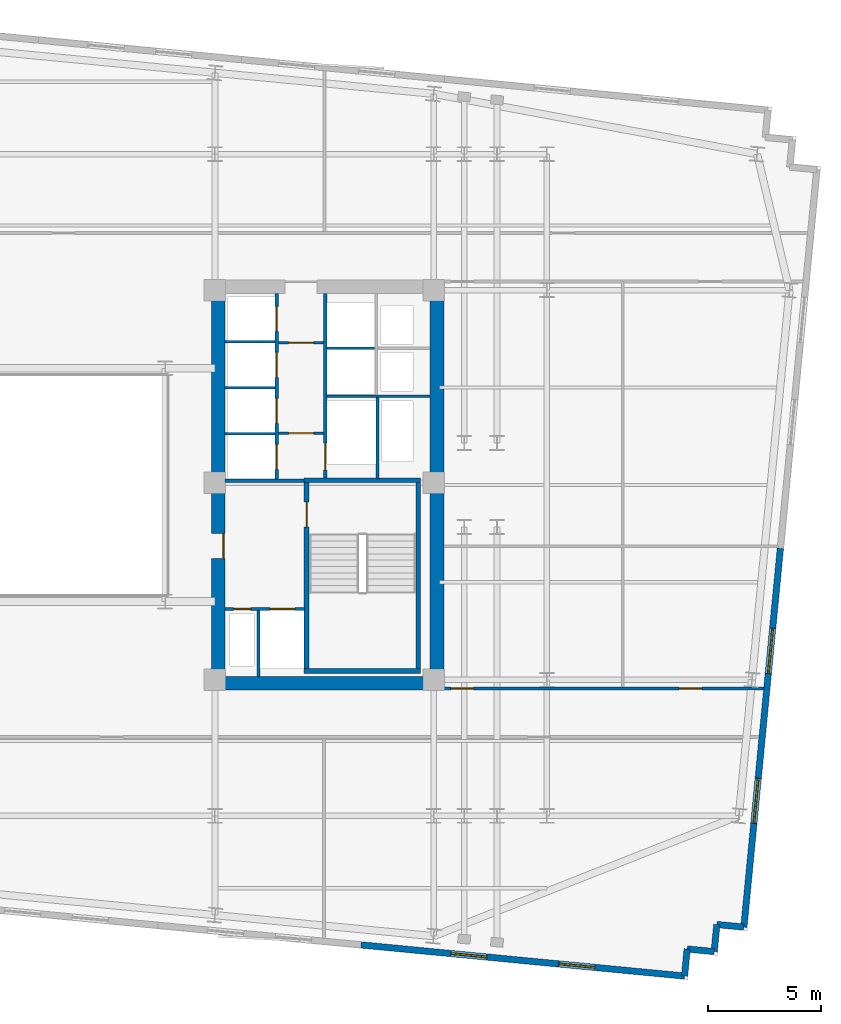
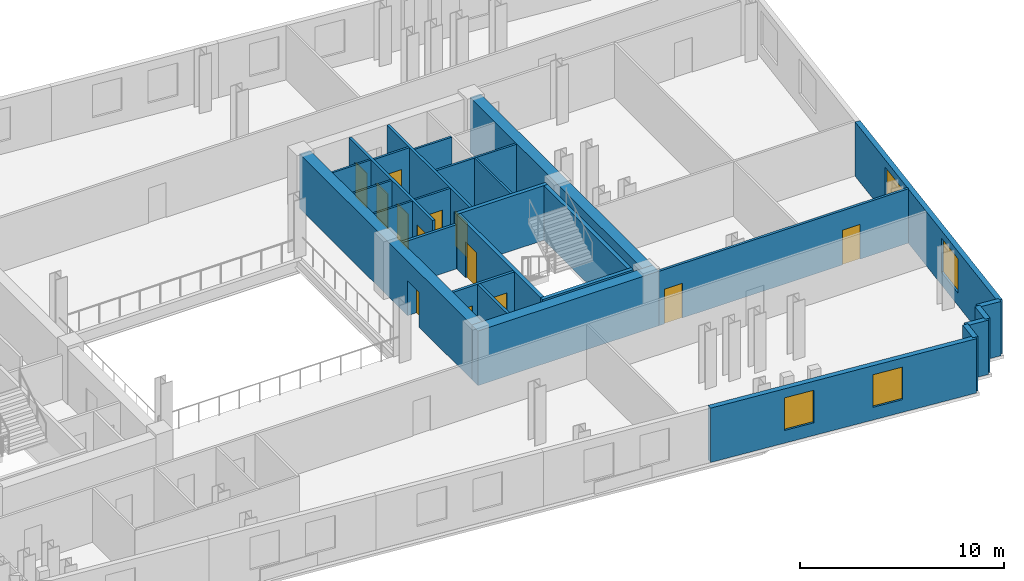
# One storey, part 5 of 9: 27 walls, 13 doors, 4 windows, 17 openings.
"""IFC4 building model written with IfcOpenShell, lengths in metres."""

from ifc_helpers import new_model, si_unit, direction, frame, frame_2d, origin, place, context, subcontext, project, spatial, rectangle, extrude, material, layer, layer_set, type_object, element, fill, save


model = new_model("IFC4")

# Units and contexts
model_context = context("Model", 3, precision=1e-05, world=origin(), true_north=direction((0.0, 1.0)))
body_context = subcontext(model_context, "Body", "Model", "MODEL_VIEW")
ifc_project = project(units=[si_unit("LENGTHUNIT", "METRE"), si_unit("AREAUNIT", "SQUARE_METRE"), si_unit("VOLUMEUNIT", "CUBIC_METRE"), si_unit("PLANEANGLEUNIT", "RADIAN"), si_unit("MASSUNIT", "GRAM", prefix="KILO")], contexts=[model_context])

# Site, building, storey
site_placement = place(None, origin())
site = spatial("IfcSite", under=ifc_project, at=site_placement, CompositionType="ELEMENT")
building_placement = place(site_placement, origin())
building = spatial("IfcBuilding", under=site, at=building_placement, Name="Velakula Bourse", CompositionType="ELEMENT")
storey_placement = place(building_placement, frame((0.0, 0.0, 163.85009765625)))
storey = spatial("IfcBuildingStorey", under=building, at=storey_placement, Name="L44", CompositionType="ELEMENT", Elevation=163.85009765625)

# Wall, opening, door
ifc_material_1 = material(Name="Concrete M50 (fck 50 MPa)", Category="concrete")
ifc_layer_1 = layer(ifc_material_1, 0.2099609375, Name="Concrete M50 (fck 50 MPa)", Category="concrete")
ifc_layer_set_1 = layer_set([ifc_layer_1], Name="Concrete M50 (fck 50 MPa)")
wall_type_1 = type_object("IfcWallType", Name="WL-CORE-210", PredefinedType="SHEAR", material=ifc_layer_set_1)
wall_1_placement = place(storey_placement, frame((12.9951171875, -8.10009765625, 0.0), z_axis=(0.0, 0.0, 1.0), x_axis=(0.0, 1.0, 0.0)))
wall_1 = element("IfcWall", 1, at=wall_1_placement, inside=storey, type_object=wall_type_1, Name="L44 Core E Stairwell Shear Wall IN", PredefinedType="SHEAR", context=body_context, shape_type="SweptSolid", body=[
    extrude(rectangle(XDim=8.2001953125, YDim=0.2099609375, at=frame_2d((4.10009765625, 0.0))), origin(), (0.0, 0.0, 1.0), 3.27001953125),
])
opening_1_placement = place(wall_1_placement, frame((6.25, 0.0, 0.0)))
opening_1 = element("IfcOpeningElement", 2, at=opening_1_placement, cuts=wall_1, Name="Opening D-STE1", PredefinedType="OPENING", context=body_context, shape_type="SweptSolid", body=[
    extrude(rectangle(XDim=1.10009765625, YDim=2.14990234375, at=frame_2d((0.550048828125, 1.074951171875))), frame((0.0, 0.114990234375, 0.0), z_axis=(0.0, -1.0, 0.0), x_axis=(1.0, 0.0, 0.0)), (0.0, 0.0, 1.0), 0.22998046875),
])
ifc_material_2 = material(Name="Galvanised painted hollow steel fire door", Category="steel")
door_type_1 = type_object("IfcDoorType", Name="DR-FD120-1100x2150", OperationType="NOTDEFINED", PredefinedType="DOOR", material=ifc_material_2)
door_1_placement = place(opening_1_placement, origin())
door_1 = element("IfcDoor", 3, at=door_1_placement, inside=storey, type_object=door_type_1, Name="L44 Stair ST-E1 Fire Door", OperationType="SINGLE_SWING_RIGHT", OverallHeight=2.14990234375, OverallWidth=1.10009765625, PredefinedType="DOOR", context=body_context, shape_type="SweptSolid", body=[
    extrude(rectangle(XDim=1.10009765625, YDim=2.14990234375, at=frame_2d((0.550048828125, 1.074951171875))), frame((0.0, 0.02490234375, 0.0), z_axis=(0.0, -1.0, 0.0), x_axis=(1.0, 0.0, 0.0)), (0.0, 0.0, 1.0), 0.050048828125),
])
fill(opening_1, door_1)

# Walls
wall_2_placement = place(storey_placement, frame((17.925048828125, -8.10009765625, 0.0), z_axis=(0.0, 0.0, 1.0), x_axis=(0.0, 1.0, 0.0)))
element("IfcWall", 4, at=wall_2_placement, inside=storey, type_object=wall_type_1, Name="L44 Core E Stairwell Shear Wall OUT", PredefinedType="SHEAR", context=body_context, shape_type="SweptSolid", body=[
    extrude(rectangle(XDim=8.2001953125, YDim=0.2099609375, at=frame_2d((4.10009765625, 0.0))), origin(), (0.0, 0.0, 1.0), 3.27001953125),
])
for number, where, z_axis, x_axis, name in (
    (5, (12.889892578125, -8.205078125, 0.0), (0.0, 0.0, 1.0), (1.0, 0.0, 0.0), "L44 Core E Stairwell Shear Wall S"),
    (6, (18.030029296875, 0.205078125, 0.0), (0.0, 0.0, 1.0), (-1.0, 0.0, 0.0), "L44 Core E Stairwell Shear Wall N"),
):
    element("IfcWall", number, at=place(storey_placement, frame(where, z_axis=z_axis, x_axis=x_axis)), inside=storey, type_object=wall_type_1, Name=name, PredefinedType="SHEAR", context=body_context, shape_type="SweptSolid", body=[
        extrude(rectangle(XDim=5.14013671875, YDim=0.2099609375, at=frame_2d((2.570068359375, 0.0))), origin(), (0.0, 0.0, 1.0), 3.27001953125),
    ])
ifc_material_3 = material(Name="Concrete M70 (fck 70 MPa)", Category="concrete")
ifc_layer_2 = layer(ifc_material_3, 0.60009765625, Name="Concrete M70 (fck 70 MPa)", Category="concrete")
ifc_layer_set_2 = layer_set([ifc_layer_2], Name="Concrete M70 (fck 70 MPa)")
wall_type_2 = type_object("IfcWallType", Name="WL-CORE-600", PredefinedType="SHEAR", material=ifc_layer_set_2)
wall_3_placement = place(storey_placement, frame((8.800048828125, -8.75, 0.0), z_axis=(0.0, 0.0, 1.0), x_axis=(1.0, 0.0, 0.0)))
element("IfcWall", 7, at=wall_3_placement, inside=storey, type_object=wall_type_2, Name="L44 Core E Shear Wall S", PredefinedType="SHEAR", context=body_context, shape_type="SweptSolid", body=[
    extrude(rectangle(XDim=10.25, YDim=0.60009765625, at=frame_2d((5.125, 0.0))), origin(), (0.0, 0.0, 1.0), 3.27001953125),
])

# Wall, opening, door
wall_4_placement = place(storey_placement, frame((9.10009765625, -8.449951171875, 0.0), z_axis=(0.0, 0.0, 1.0), x_axis=(0.0, 1.0, 0.0)))
wall_4 = element("IfcWall", 8, at=wall_4_placement, inside=storey, type_object=wall_type_2, Name="L44 Core E Shear Wall W", PredefinedType="SHEAR", context=body_context, shape_type="SweptSolid", body=[
    extrude(rectangle(XDim=16.89990234375, YDim=0.60009765625, at=frame_2d((8.449951171875, 0.0))), origin(), (0.0, 0.0, 1.0), 3.27001953125),
])
opening_2_placement = place(wall_4_placement, frame((5.199951171875, 0.0, 0.0)))
opening_2 = element("IfcOpeningElement", 9, at=opening_2_placement, cuts=wall_4, Name="Opening D-FLE", PredefinedType="OPENING", context=body_context, shape_type="SweptSolid", body=[
    extrude(rectangle(XDim=1.10009765625, YDim=2.080078125, at=frame_2d((0.550048828125, 1.0400390625))), frame((0.0, 0.31005859375, 0.0), z_axis=(0.0, -1.0, 0.0), x_axis=(1.0, 0.0, 0.0)), (0.0, 0.0, 1.0), 0.6201171875),
])
door_type_2 = type_object("IfcDoorType", Name="DR-FD120-1100", OperationType="NOTDEFINED", PredefinedType="DOOR", material=ifc_material_2)
door_2_placement = place(opening_2_placement, origin())
door_2 = element("IfcDoor", 10, at=door_2_placement, inside=storey, type_object=door_type_2, Name="L44 Firefighting Lobby E Corridor Fire Door", OperationType="SINGLE_SWING_RIGHT", OverallHeight=2.080078125, OverallWidth=1.10009765625, PredefinedType="DOOR", context=body_context, shape_type="SweptSolid", body=[
    extrude(rectangle(XDim=1.10009765625, YDim=2.080078125, at=frame_2d((0.550048828125, 1.0400390625))), frame((0.0, -0.205078125, 0.0), z_axis=(0.0, -1.0, 0.0), x_axis=(1.0, 0.0, 0.0)), (0.0, 0.0, 1.0), 0.050048828125),
])
fill(opening_2, door_2)

# Wall
wall_5_placement = place(storey_placement, frame((18.75, -8.449951171875, 0.0), z_axis=(0.0, 0.0, 1.0), x_axis=(0.0, 1.0, 0.0)))
element("IfcWall", 11, at=wall_5_placement, inside=storey, type_object=wall_type_2, Name="L44 Core E Shear Wall E", PredefinedType="SHEAR", context=body_context, shape_type="SweptSolid", body=[
    extrude(rectangle(XDim=16.89990234375, YDim=0.60009765625, at=frame_2d((8.449951171875, 0.0))), origin(), (0.0, 0.0, 1.0), 3.27001953125),
])

# Wall, openings, windows
ifc_material_4 = material(Name="Red kilned clay facing brick masonry", Category="masonry")
ifc_layer_3 = layer(ifc_material_4, 0.280029296875, Name="Red kilned clay facing brick masonry", Category="masonry")
ifc_layer_set_3 = layer_set([ifc_layer_3], Name="Red kilned clay facing brick masonry")
wall_type_3 = type_object("IfcWallType", Name="WL-EXT-BRK-280", PredefinedType="STANDARD", material=ifc_layer_set_3)
wall_6_placement = place(storey_placement, frame((29.672607421875, -21.669921875, 0.0), z_axis=(0.0, 0.0, 1.0), x_axis=(-0.995397230529, 0.095835032509, 0.0)))
wall_6 = element("IfcWall", 12, at=wall_6_placement, inside=storey, type_object=wall_type_3, Name="L44 S Brick Spandrel Wall B5", PredefinedType="STANDARD", context=body_context, shape_type="SweptSolid", body=[
    extrude(rectangle(XDim=14.33984375, YDim=0.280029296875, at=frame_2d((7.169921875, 0.0))), origin(), (0.0, 0.0, 1.0), 3.25),
])
opening_3_placement = place(wall_6_placement, frame((3.97998046875, 0.0, 0.760009765625)))
opening_3 = element("IfcOpeningElement", 13, at=opening_3_placement, cuts=wall_6, Name="Opening W-02", PredefinedType="OPENING", context=body_context, shape_type="SweptSolid", body=[
    extrude(rectangle(XDim=1.60009765625, YDim=1.949951171875, at=frame_2d((0.800048828125, 0.97509765625))), frame((0.0, 0.14990234375, 0.0), z_axis=(0.0, -1.0, 0.0), x_axis=(1.0, 0.0, 0.0)), (0.0, 0.0, 1.0), 0.300048828125),
])
opening_4_placement = place(wall_6_placement, frame((8.760009765625, 0.0, 0.760009765625)))
opening_4 = element("IfcOpeningElement", 14, at=opening_4_placement, cuts=wall_6, Name="Opening W-02", PredefinedType="OPENING", context=body_context, shape_type="SweptSolid", body=[
    extrude(rectangle(XDim=1.60009765625, YDim=1.949951171875, at=frame_2d((0.800048828125, 0.97509765625))), frame((0.0, 0.14990234375, 0.0), z_axis=(0.0, -1.0, 0.0), x_axis=(1.0, 0.0, 0.0)), (0.0, 0.0, 1.0), 0.300048828125),
])
ifc_material_5 = material(Name="Double-glazed solar-control Low-E glass", Category="glass")
window_type_1 = type_object("IfcWindowType", Name="WIN-TWR-1600x2100", PartitioningType="SINGLE_PANEL", PredefinedType="WINDOW", material=ifc_material_5)
window_1_placement = place(opening_3_placement, origin())
window_1 = element("IfcWindow", 15, at=window_1_placement, inside=storey, type_object=window_type_1, Name="L44 Deep-Set Recessed Window 1", OverallHeight=1.949951171875, OverallWidth=1.60009765625, PartitioningType="SINGLE_PANEL", PredefinedType="WINDOW", context=body_context, shape_type="SweptSolid", body=[
    extrude(rectangle(XDim=1.60009765625, YDim=1.949951171875, at=frame_2d((0.800048828125, 0.97509765625))), frame((0.0, 0.030029296875, 0.0), z_axis=(0.0, -1.0, 0.0), x_axis=(1.0, 0.0, 0.0)), (0.0, 0.0, 1.0), 0.06005859375),
])
fill(opening_3, window_1)
window_2_placement = place(opening_4_placement, origin())
window_2 = element("IfcWindow", 16, at=window_2_placement, inside=storey, type_object=window_type_1, Name="L44 Deep-Set Recessed Window 2", OverallHeight=1.949951171875, OverallWidth=1.60009765625, PartitioningType="SINGLE_PANEL", PredefinedType="WINDOW", context=body_context, shape_type="SweptSolid", body=[
    extrude(rectangle(XDim=1.60009765625, YDim=1.949951171875, at=frame_2d((0.800048828125, 0.97509765625))), frame((0.0, 0.030029296875, 0.0), z_axis=(0.0, -1.0, 0.0), x_axis=(1.0, 0.0, 0.0)), (0.0, 0.0, 1.0), 0.06005859375),
])
fill(opening_4, window_2)

wall_7_placement = place(storey_placement, frame((33.90087890625, -2.79833984375, 0.0), z_axis=(0.0, 0.0, 1.0), x_axis=(-0.095853434568, -0.99539545864, 0.0)))
wall_7 = element("IfcWall", 17, at=wall_7_placement, inside=storey, type_object=wall_type_3, Name="L44 E Brick End Wall W1", PredefinedType="STANDARD", context=body_context, shape_type="SweptSolid", body=[
    extrude(rectangle(XDim=16.7900390625, YDim=0.280029296875, at=frame_2d((8.39501953125, 0.0))), origin(), (0.0, 0.0, 1.0), 3.25),
])
opening_5_placement = place(wall_7_placement, frame((3.546630859375, 0.0, 0.760009765625)))
opening_5 = element("IfcOpeningElement", 18, at=opening_5_placement, cuts=wall_7, Name="Opening W-05", PredefinedType="OPENING", context=body_context, shape_type="SweptSolid", body=[
    extrude(rectangle(XDim=2.0, YDim=2.050048828125, at=frame_2d((1.0, 1.02490234375))), frame((0.0, 0.14990234375, 0.0), z_axis=(0.0, -1.0, 0.0), x_axis=(1.0, 0.0, 0.0)), (0.0, 0.0, 1.0), 0.300048828125),
])
opening_6_placement = place(wall_7_placement, frame((10.193359375, 0.0, 0.760009765625)))
opening_6 = element("IfcOpeningElement", 19, at=opening_6_placement, cuts=wall_7, Name="Opening W-05", PredefinedType="OPENING", context=body_context, shape_type="SweptSolid", body=[
    extrude(rectangle(XDim=2.0, YDim=2.050048828125, at=frame_2d((1.0, 1.02490234375))), frame((0.0, 0.14990234375, 0.0), z_axis=(0.0, -1.0, 0.0), x_axis=(1.0, 0.0, 0.0)), (0.0, 0.0, 1.0), 0.300048828125),
])
window_type_2 = type_object("IfcWindowType", Name="WIN-TWR-2000x2200", PartitioningType="DOUBLE_PANEL_VERTICAL", PredefinedType="WINDOW", material=ifc_material_5)
window_3_placement = place(opening_5_placement, origin())
window_3 = element("IfcWindow", 20, at=window_3_placement, inside=storey, type_object=window_type_2, Name="L44 Deep-Set Recessed Window 1", OverallHeight=2.050048828125, OverallWidth=2.0, PartitioningType="DOUBLE_PANEL_VERTICAL", PredefinedType="WINDOW", context=body_context, shape_type="SweptSolid", body=[
    extrude(rectangle(XDim=2.0, YDim=2.050048828125, at=frame_2d((1.0, 1.02490234375))), frame((0.0, 0.030029296875, 0.0), z_axis=(0.0, -1.0, 0.0), x_axis=(1.0, 0.0, 0.0)), (0.0, 0.0, 1.0), 0.06005859375),
])
fill(opening_5, window_3)
window_4_placement = place(opening_6_placement, origin())
window_4 = element("IfcWindow", 21, at=window_4_placement, inside=storey, type_object=window_type_2, Name="L44 Deep-Set Recessed Window 2", OverallHeight=2.050048828125, OverallWidth=2.0, PartitioningType="DOUBLE_PANEL_VERTICAL", PredefinedType="WINDOW", context=body_context, shape_type="SweptSolid", body=[
    extrude(rectangle(XDim=2.0, YDim=2.050048828125, at=frame_2d((1.0, 1.02490234375))), frame((0.0, 0.030029296875, 0.0), z_axis=(0.0, -1.0, 0.0), x_axis=(1.0, 0.0, 0.0)), (0.0, 0.0, 1.0), 0.06005859375),
])
fill(opening_6, window_4)

# Walls
for number, where, z_axis, x_axis, name in (
    (22, (29.672607421875, -21.669921875, 0.0), (0.0, 0.0, 1.0), (0.095836473879, 0.995397091755, 0.0), "L44 Serrated Corner Brick Wall SE-1"),
    (23, (29.78759765625, -20.4755859375, 0.0), (0.0, 0.0, 1.0), (0.995397091755, -0.095836473879, 0.0), "L44 Serrated Corner Brick Wall SE-2"),
):
    element("IfcWall", number, at=place(storey_placement, frame(where, z_axis=z_axis, x_axis=x_axis)), inside=storey, type_object=wall_type_3, Name=name, PredefinedType="STANDARD", context=body_context, shape_type="SweptSolid", body=[
        extrude(rectangle(XDim=1.199951171875, YDim=0.280029296875, at=frame_2d((0.60009765625, 0.0))), origin(), (0.0, 0.0, 1.0), 3.25),
    ])
wall_8_placement = place(storey_placement, frame((30.98193359375, -20.590576171875, 0.0), z_axis=(0.0, 0.0, 1.0), x_axis=(0.096018626938, 0.995379537303, 0.0)))
element("IfcWall", 24, at=wall_8_placement, inside=storey, type_object=wall_type_3, Name="L44 Serrated Corner Brick Wall SE-3", PredefinedType="STANDARD", context=body_context, shape_type="SweptSolid", body=[
    extrude(rectangle(XDim=1.2001953125, YDim=0.280029296875, at=frame_2d((0.60009765625, 0.0))), origin(), (0.0, 0.0, 1.0), 3.25),
])
wall_9_placement = place(storey_placement, frame((31.09716796875, -19.39599609375, 0.0), z_axis=(0.0, 0.0, 1.0), x_axis=(0.995397091755, -0.095836473879, 0.0)))
element("IfcWall", 25, at=wall_9_placement, inside=storey, type_object=wall_type_3, Name="L44 Serrated Corner Brick Wall SE-4", PredefinedType="STANDARD", context=body_context, shape_type="SweptSolid", body=[
    extrude(rectangle(XDim=1.199951171875, YDim=0.280029296875, at=frame_2d((0.60009765625, 0.0))), origin(), (0.0, 0.0, 1.0), 3.25),
])

# Wall, opening, door
ifc_material_6 = material(Name="Fire-rated double-layer gypsum drywall partition", Category="gypsum")
ifc_layer_4 = layer(ifc_material_6, 0.1201171875, Name="Fire-rated double-layer gypsum drywall partition", Category="gypsum")
ifc_layer_set_4 = layer_set([ifc_layer_4], Name="Fire-rated double-layer gypsum drywall partition")
wall_type_4 = type_object("IfcWallType", Name="WL-PART-120", PredefinedType="STANDARD", material=ifc_layer_set_4)
wall_10_placement = place(storey_placement, frame((11.75, 2.280029296875, 0.0), z_axis=(0.0, 0.0, 1.0), x_axis=(1.0, 0.0, 0.0)))
wall_10 = element("IfcWall", 26, at=wall_10_placement, inside=storey, type_object=wall_type_4, Name="L44 Interior Partition WL-CRE-L44-LL-K3A", PredefinedType="STANDARD", context=body_context, shape_type="SweptSolid", body=[
    extrude(rectangle(XDim=2.0, YDim=0.1201171875, at=frame_2d((1.0, 0.0))), origin(), (0.0, 0.0, 1.0), 3.25),
])
opening_7_placement = place(wall_10_placement, frame((0.449951171875, 0.0, 0.0)))
opening_7 = element("IfcOpeningElement", 27, at=opening_7_placement, cuts=wall_10, Name="Opening D-LK3", PredefinedType="OPENING", context=body_context, shape_type="SweptSolid", body=[
    extrude(rectangle(XDim=1.10009765625, YDim=2.10009765625, at=frame_2d((0.550048828125, 1.050048828125))), frame((0.0, 0.070068359375, 0.0), z_axis=(0.0, -1.0, 0.0), x_axis=(1.0, 0.0, 0.0)), (0.0, 0.0, 1.0), 0.14013671875),
])
ifc_material_7 = material(Name="Fire-rated hardwood flush architectural door", Category="wood")
door_type_3 = type_object("IfcDoorType", Name="DR-FD60-1100x2100", OperationType="NOTDEFINED", PredefinedType="DOOR", material=ifc_material_7)
door_3_placement = place(opening_7_placement, origin())
door_3 = element("IfcDoor", 28, at=door_3_placement, inside=storey, type_object=door_type_3, Name="L44 Core E Lift Lobby Vestibule Door A", OperationType="SINGLE_SWING_LEFT", OverallHeight=2.10009765625, OverallWidth=1.10009765625, PredefinedType="DOOR", context=body_context, shape_type="SweptSolid", body=[
    extrude(rectangle(XDim=1.10009765625, YDim=2.10009765625, at=frame_2d((0.550048828125, 1.050048828125))), frame((0.0, 0.02490234375, 0.0), z_axis=(0.0, -1.0, 0.0), x_axis=(1.0, 0.0, 0.0)), (0.0, 0.0, 1.0), 0.050048828125),
])
fill(opening_7, door_3)

wall_11_placement = place(storey_placement, frame((11.75, 6.280029296875, 0.0), z_axis=(0.0, 0.0, 1.0), x_axis=(1.0, 0.0, 0.0)))
wall_11 = element("IfcWall", 29, at=wall_11_placement, inside=storey, type_object=wall_type_4, Name="L44 Interior Partition WL-CRE-L44-LL-K3B", PredefinedType="STANDARD", context=body_context, shape_type="SweptSolid", body=[
    extrude(rectangle(XDim=2.0, YDim=0.1201171875, at=frame_2d((1.0, 0.0))), origin(), (0.0, 0.0, 1.0), 3.25),
])
opening_8_placement = place(wall_11_placement, frame((0.449951171875, 0.0, 0.0)))
opening_8 = element("IfcOpeningElement", 30, at=opening_8_placement, cuts=wall_11, Name="Opening D-LK3", PredefinedType="OPENING", context=body_context, shape_type="SweptSolid", body=[
    extrude(rectangle(XDim=1.10009765625, YDim=2.10009765625, at=frame_2d((0.550048828125, 1.050048828125))), frame((0.0, 0.070068359375, 0.0), z_axis=(0.0, -1.0, 0.0), x_axis=(1.0, 0.0, 0.0)), (0.0, 0.0, 1.0), 0.14013671875),
])
door_4_placement = place(opening_8_placement, origin())
door_4 = element("IfcDoor", 31, at=door_4_placement, inside=storey, type_object=door_type_3, Name="L44 Core E Lift Lobby Vestibule Door B", OperationType="SINGLE_SWING_LEFT", OverallHeight=2.10009765625, OverallWidth=1.10009765625, PredefinedType="DOOR", context=body_context, shape_type="SweptSolid", body=[
    extrude(rectangle(XDim=1.10009765625, YDim=2.10009765625, at=frame_2d((0.550048828125, 1.050048828125))), frame((0.0, 0.02490234375, 0.0), z_axis=(0.0, -1.0, 0.0), x_axis=(1.0, 0.0, 0.0)), (0.0, 0.0, 1.0), 0.050048828125),
])
fill(opening_8, door_4)

# Walls
for number, where, z_axis, x_axis, name in (
    (32, (9.39990234375, 2.2548828125, 0.0), (0.0, 0.0, 1.0), (1.0, 0.0, 0.0), "L44 Interior Partition WL-CRE-L44-BDIV-0"),
    (33, (9.39990234375, 4.284912109375, 0.0), (0.0, 0.0, 1.0), (1.0, 0.0, 0.0), "L44 Interior Partition WL-CRE-L44-BDIV-1"),
    (34, (9.39990234375, 6.31494140625, 0.0), (0.0, 0.0, 1.0), (1.0, 0.0, 0.0), "L44 Interior Partition WL-CRE-L44-BDIV-2"),
):
    element("IfcWall", number, at=place(storey_placement, frame(where, z_axis=z_axis, x_axis=x_axis)), inside=storey, type_object=wall_type_4, Name=name, PredefinedType="STANDARD", context=body_context, shape_type="SweptSolid", body=[
        extrude(rectangle(XDim=2.2001953125, YDim=0.110107421875, at=frame_2d((1.10009765625, 0.0))), origin(), (0.0, 0.0, 1.0), 3.25),
    ])
wall_12_placement = place(storey_placement, frame((13.89990234375, 3.919921875, 0.0), z_axis=(0.0, 0.0, 1.0), x_axis=(1.0, 0.0, 0.0)))
element("IfcWall", 35, at=wall_12_placement, inside=storey, type_object=wall_type_4, Name="L44 Interior Partition WL-CRE-L44-HI-S", PredefinedType="STANDARD", context=body_context, shape_type="SweptSolid", body=[
    extrude(rectangle(XDim=4.550048828125, YDim=0.1201171875, at=frame_2d((2.27490234375, 0.0))), origin(), (0.0, 0.0, 1.0), 3.25),
])
wall_13_placement = place(storey_placement, frame((13.89990234375, 6.030029296875, 0.0), z_axis=(0.0, 0.0, 1.0), x_axis=(1.0, 0.0, 0.0)))
element("IfcWall", 36, at=wall_13_placement, inside=storey, type_object=wall_type_4, Name="L44 Interior Partition WL-CRE-L44-HI-DIV", PredefinedType="STANDARD", context=body_context, shape_type="SweptSolid", body=[
    extrude(rectangle(XDim=2.10009765625, YDim=0.1201171875, at=frame_2d((1.050048828125, 0.0))), origin(), (0.0, 0.0, 1.0), 3.25),
])
wall_14_placement = place(storey_placement, frame((16.125, 0.27001953125, 0.0), z_axis=(0.0, 0.0, 1.0), x_axis=(0.0, 1.0, 0.0)))
element("IfcWall", 37, at=wall_14_placement, inside=storey, type_object=wall_type_4, Name="L44 Interior Partition WL-CRE-L44-SVL-E", PredefinedType="STANDARD", context=body_context, shape_type="SweptSolid", body=[
    extrude(rectangle(XDim=3.590087890625, YDim=0.1201171875, at=frame_2d((1.794921875, 0.0))), origin(), (0.0, 0.0, 1.0), 3.25),
])

# Wall, openings, doors
ifc_layer_5 = layer(ifc_material_6, 0.139892578125, Name="Fire-rated double-layer gypsum drywall partition", Category="gypsum")
ifc_layer_set_5 = layer_set([ifc_layer_5], Name="Fire-rated double-layer gypsum drywall partition")
wall_type_5 = type_object("IfcWallType", Name="WL-PART-140", PredefinedType="STANDARD", material=ifc_layer_set_5)
wall_15_placement = place(storey_placement, frame((19.050048828125, -8.97998046875, 0.0), z_axis=(0.0, 0.0, 1.0), x_axis=(1.0, 0.0, 0.0)))
wall_15 = element("IfcWall", 38, at=wall_15_placement, inside=storey, type_object=wall_type_5, Name="L44 Interior Partition WL-INT-L44-E-SC", PredefinedType="STANDARD", context=body_context, shape_type="SweptSolid", body=[
    extrude(rectangle(XDim=14.135009765625, YDim=0.139892578125, at=frame_2d((7.0673828125, 0.0))), origin(), (0.0, 0.0, 1.0), 3.25),
])
opening_9_placement = place(wall_15_placement, frame((0.320068359375, 0.0, 0.0)))
opening_9 = element("IfcOpeningElement", 39, at=opening_9_placement, cuts=wall_15, Name="Opening D-OF1", PredefinedType="OPENING", context=body_context, shape_type="SweptSolid", body=[
    extrude(rectangle(XDim=1.0, YDim=2.080078125, at=frame_2d((0.5, 1.0400390625))), frame((0.0, 0.079833984375, 0.0), z_axis=(0.0, -1.0, 0.0), x_axis=(1.0, 0.0, 0.0)), (0.0, 0.0, 1.0), 0.159912109375),
])
opening_10_placement = place(wall_15_placement, frame((10.388427734375, 0.0, 0.0)))
opening_10 = element("IfcOpeningElement", 40, at=opening_10_placement, cuts=wall_15, Name="Opening D-OF1", PredefinedType="OPENING", context=body_context, shape_type="SweptSolid", body=[
    extrude(rectangle(XDim=1.0, YDim=2.080078125, at=frame_2d((0.5, 1.0400390625))), frame((0.0, 0.079833984375, 0.0), z_axis=(0.0, -1.0, 0.0), x_axis=(1.0, 0.0, 0.0)), (0.0, 0.0, 1.0), 0.159912109375),
])
door_type_4 = type_object("IfcDoorType", Name="DR-OFF-1000", OperationType="NOTDEFINED", PredefinedType="DOOR", material=ifc_material_7)
door_5_placement = place(opening_9_placement, origin())
door_5 = element("IfcDoor", 41, at=door_5_placement, inside=storey, type_object=door_type_4, Name="L44 General Counsel Office Door", OperationType="SINGLE_SWING_LEFT", OverallHeight=2.080078125, OverallWidth=1.0, PredefinedType="DOOR", context=body_context, shape_type="SweptSolid", body=[
    extrude(rectangle(XDim=1.0, YDim=2.080078125, at=frame_2d((0.5, 1.0400390625))), frame((0.0, 0.02490234375, 0.0), z_axis=(0.0, -1.0, 0.0), x_axis=(1.0, 0.0, 0.0)), (0.0, 0.0, 1.0), 0.050048828125),
])
fill(opening_9, door_5)
door_6_placement = place(opening_10_placement, origin())
door_6 = element("IfcDoor", 42, at=door_6_placement, inside=storey, type_object=door_type_4, Name="L44 Risk Review Boardroom Door", OperationType="SINGLE_SWING_RIGHT", OverallHeight=2.080078125, OverallWidth=1.0, PredefinedType="DOOR", context=body_context, shape_type="SweptSolid", body=[
    extrude(rectangle(XDim=1.0, YDim=2.080078125, at=frame_2d((0.5, 1.0400390625))), frame((0.0, 0.02490234375, 0.0), z_axis=(0.0, -1.0, 0.0), x_axis=(1.0, 0.0, 0.0)), (0.0, 0.0, 1.0), 0.050048828125),
])
fill(opening_10, door_6)

ifc_material_8 = material(Name="Autoclaved aerated concrete blockwork masonry", Category="masonry")
ifc_layer_6 = layer(ifc_material_8, 0.14990234375, Name="Autoclaved aerated concrete blockwork masonry", Category="masonry")
ifc_layer_set_6 = layer_set([ifc_layer_6], Name="Autoclaved aerated concrete blockwork masonry")
wall_type_6 = type_object("IfcWallType", Name="WL-SHAFT-150", PredefinedType="STANDARD", material=ifc_layer_set_6)
wall_16_placement = place(storey_placement, frame((9.39990234375, -5.47509765625, 0.0), z_axis=(0.0, 0.0, 1.0), x_axis=(1.0, 0.0, 0.0)))
wall_16 = element("IfcWall", 43, at=wall_16_placement, inside=storey, type_object=wall_type_6, Name="L44 Interior Partition WL-CRE-L44-FFL-N", PredefinedType="STANDARD", context=body_context, shape_type="SweptSolid", body=[
    extrude(rectangle(XDim=3.4951171875, YDim=0.14990234375, at=frame_2d((1.74755859375, 0.0))), origin(), (0.0, 0.0, 1.0), 3.25),
])
opening_11_placement = place(wall_16_placement, frame((1.97509765625, 0.0, 0.0)))
opening_11 = element("IfcOpeningElement", 44, at=opening_11_placement, cuts=wall_16, Name="Opening LD-FFL-2", PredefinedType="OPENING", context=body_context, shape_type="SweptSolid", body=[
    extrude(rectangle(XDim=1.10009765625, YDim=2.14990234375, at=frame_2d((0.550048828125, 1.074951171875))), frame((0.0, 0.0849609375, 0.0), z_axis=(0.0, -1.0, 0.0), x_axis=(1.0, 0.0, 0.0)), (0.0, 0.0, 1.0), 0.169921875),
])
opening_12_placement = place(wall_16_placement, frame((0.375, 0.0, 0.0)))
opening_12 = element("IfcOpeningElement", 45, at=opening_12_placement, cuts=wall_16, Name="Opening D-RS1", PredefinedType="OPENING", context=body_context, shape_type="SweptSolid", body=[
    extrude(rectangle(XDim=0.75, YDim=2.050048828125, at=frame_2d((0.375, 1.02490234375))), frame((0.0, 0.0849609375, 0.0), z_axis=(0.0, -1.0, 0.0), x_axis=(1.0, 0.0, 0.0)), (0.0, 0.0, 1.0), 0.169921875),
])
door_type_5 = type_object("IfcDoorType", Name="DR-RISER-800", OperationType="NOTDEFINED", PredefinedType="DOOR", material=ifc_material_2)
door_7_placement = place(opening_12_placement, origin())
door_7 = element("IfcDoor", 46, at=door_7_placement, inside=storey, type_object=door_type_5, Name="L44 Fire Riser Access Door", OperationType="SINGLE_SWING_LEFT", OverallHeight=2.050048828125, OverallWidth=0.75, PredefinedType="DOOR", context=body_context, shape_type="SweptSolid", body=[
    extrude(rectangle(XDim=0.75, YDim=2.050048828125, at=frame_2d((0.375, 1.02490234375))), frame((0.0, 0.02490234375, 0.0), z_axis=(0.0, -1.0, 0.0), x_axis=(1.0, 0.0, 0.0)), (0.0, 0.0, 1.0), 0.050048828125),
])
fill(opening_12, door_7)
ifc_material_9 = material(Name="Brushed grade 316 stainless steel", Category="steel")
door_type_6 = type_object("IfcDoorType", Name="DR-SLIDE-FFL-1100", OperationType="DOUBLE_DOOR_SLIDING", PredefinedType="DOOR", material=ifc_material_9)
door_8_placement = place(opening_11_placement, origin())
door_8 = element("IfcDoor", 47, at=door_8_placement, inside=storey, type_object=door_type_6, Name="L44 Firefighting Lift FFL-2 Sliding Landing Door", OperationType="DOUBLE_DOOR_SLIDING", OverallHeight=2.14990234375, OverallWidth=1.10009765625, PredefinedType="DOOR", context=body_context, shape_type="SweptSolid", body=[
    extrude(rectangle(XDim=1.10009765625, YDim=2.14990234375, at=frame_2d((0.550048828125, 1.074951171875))), frame((0.0, 0.02490234375, 0.0), z_axis=(0.0, -1.0, 0.0), x_axis=(1.0, 0.0, 0.0)), (0.0, 0.0, 1.0), 0.050048828125),
])
fill(opening_11, door_8)

# Walls
wall_17_placement = place(storey_placement, frame((10.875, -8.449951171875, 0.0), z_axis=(0.0, 0.0, 1.0), x_axis=(0.0, 1.0, 0.0)))
element("IfcWall", 48, at=wall_17_placement, inside=storey, type_object=wall_type_6, Name="L44 Interior Partition WL-CRE-L44-FR-DIV", PredefinedType="STANDARD", context=body_context, shape_type="SweptSolid", body=[
    extrude(rectangle(XDim=2.89990234375, YDim=0.14990234375, at=frame_2d((1.449951171875, 0.0))), origin(), (0.0, 0.0, 1.0), 3.25),
])
wall_18_placement = place(storey_placement, frame((9.39990234375, 0.18994140625, 0.0), z_axis=(0.0, 0.0, 1.0), x_axis=(1.0, 0.0, 0.0)))
element("IfcWall", 49, at=wall_18_placement, inside=storey, type_object=wall_type_6, Name="L44 Interior Partition WL-CRE-L44-FF-TOP", PredefinedType="STANDARD", context=body_context, shape_type="SweptSolid", body=[
    extrude(rectangle(XDim=3.489990234375, YDim=0.14990234375, at=frame_2d((1.7451171875, 0.0))), origin(), (0.0, 0.0, 1.0), 2.64501953125),
])

# Wall, openings, doors
wall_19_placement = place(storey_placement, frame((11.675048828125, 0.27001953125, 0.0), z_axis=(0.0, 0.0, 1.0), x_axis=(0.0, 1.0, 0.0)))
wall_19 = element("IfcWall", 50, at=wall_19_placement, inside=storey, type_object=wall_type_6, Name="L44 Interior Partition WL-CRE-L44-BANK-F", PredefinedType="STANDARD", context=body_context, shape_type="SweptSolid", body=[
    extrude(rectangle(XDim=8.179931640625, YDim=0.14990234375, at=frame_2d((4.08984375, 0.0))), origin(), (0.0, 0.0, 1.0), 3.25),
])
opening_13_placement = place(wall_19_placement, frame((0.419921875, 0.0, 0.0)))
opening_13 = element("IfcOpeningElement", 51, at=opening_13_placement, cuts=wall_19, Name="Opening LD-P5", PredefinedType="OPENING", context=body_context, shape_type="SweptSolid", body=[
    extrude(rectangle(XDim=1.10009765625, YDim=2.10009765625, at=frame_2d((0.550048828125, 1.050048828125))), frame((0.0, 0.0849609375, 0.0), z_axis=(0.0, -1.0, 0.0), x_axis=(1.0, 0.0, 0.0)), (0.0, 0.0, 1.0), 0.169921875),
])
opening_14_placement = place(wall_19_placement, frame((2.449951171875, 0.0, 0.0)))
opening_14 = element("IfcOpeningElement", 52, at=opening_14_placement, cuts=wall_19, Name="Opening LD-P6", PredefinedType="OPENING", context=body_context, shape_type="SweptSolid", body=[
    extrude(rectangle(XDim=1.10009765625, YDim=2.10009765625, at=frame_2d((0.550048828125, 1.050048828125))), frame((0.0, 0.0849609375, 0.0), z_axis=(0.0, -1.0, 0.0), x_axis=(1.0, 0.0, 0.0)), (0.0, 0.0, 1.0), 0.169921875),
])
opening_15_placement = place(wall_19_placement, frame((4.47998046875, 0.0, 0.0)))
opening_15 = element("IfcOpeningElement", 53, at=opening_15_placement, cuts=wall_19, Name="Opening LD-P7", PredefinedType="OPENING", context=body_context, shape_type="SweptSolid", body=[
    extrude(rectangle(XDim=1.10009765625, YDim=2.10009765625, at=frame_2d((0.550048828125, 1.050048828125))), frame((0.0, 0.0849609375, 0.0), z_axis=(0.0, -1.0, 0.0), x_axis=(1.0, 0.0, 0.0)), (0.0, 0.0, 1.0), 0.169921875),
])
opening_16_placement = place(wall_19_placement, frame((6.510009765625, 0.0, 0.0)))
opening_16 = element("IfcOpeningElement", 54, at=opening_16_placement, cuts=wall_19, Name="Opening LD-P8", PredefinedType="OPENING", context=body_context, shape_type="SweptSolid", body=[
    extrude(rectangle(XDim=1.10009765625, YDim=2.10009765625, at=frame_2d((0.550048828125, 1.050048828125))), frame((0.0, 0.0849609375, 0.0), z_axis=(0.0, -1.0, 0.0), x_axis=(1.0, 0.0, 0.0)), (0.0, 0.0, 1.0), 0.169921875),
])
door_type_7 = type_object("IfcDoorType", Name="DR-SLIDE-LD-1100", OperationType="DOUBLE_DOOR_SLIDING", PredefinedType="DOOR", material=ifc_material_9)
door_9_placement = place(opening_13_placement, origin())
door_9 = element("IfcDoor", 55, at=door_9_placement, inside=storey, type_object=door_type_7, Name="L44 Passenger Lift P5 Sliding Landing Door", OperationType="DOUBLE_DOOR_SLIDING", OverallHeight=2.10009765625, OverallWidth=1.10009765625, PredefinedType="DOOR", context=body_context, shape_type="SweptSolid", body=[
    extrude(rectangle(XDim=1.10009765625, YDim=2.10009765625, at=frame_2d((0.550048828125, 1.050048828125))), frame((0.0, 0.02490234375, 0.0), z_axis=(0.0, -1.0, 0.0), x_axis=(1.0, 0.0, 0.0)), (0.0, 0.0, 1.0), 0.050048828125),
])
fill(opening_13, door_9)
door_10_placement = place(opening_14_placement, origin())
door_10 = element("IfcDoor", 56, at=door_10_placement, inside=storey, type_object=door_type_7, Name="L44 Passenger Lift P6 Sliding Landing Door", OperationType="DOUBLE_DOOR_SLIDING", OverallHeight=2.10009765625, OverallWidth=1.10009765625, PredefinedType="DOOR", context=body_context, shape_type="SweptSolid", body=[
    extrude(rectangle(XDim=1.10009765625, YDim=2.10009765625, at=frame_2d((0.550048828125, 1.050048828125))), frame((0.0, 0.02490234375, 0.0), z_axis=(0.0, -1.0, 0.0), x_axis=(1.0, 0.0, 0.0)), (0.0, 0.0, 1.0), 0.050048828125),
])
fill(opening_14, door_10)
door_11_placement = place(opening_15_placement, origin())
door_11 = element("IfcDoor", 57, at=door_11_placement, inside=storey, type_object=door_type_7, Name="L44 Passenger Lift P7 Sliding Landing Door", OperationType="DOUBLE_DOOR_SLIDING", OverallHeight=2.10009765625, OverallWidth=1.10009765625, PredefinedType="DOOR", context=body_context, shape_type="SweptSolid", body=[
    extrude(rectangle(XDim=1.10009765625, YDim=2.10009765625, at=frame_2d((0.550048828125, 1.050048828125))), frame((0.0, 0.02490234375, 0.0), z_axis=(0.0, -1.0, 0.0), x_axis=(1.0, 0.0, 0.0)), (0.0, 0.0, 1.0), 0.050048828125),
])
fill(opening_15, door_11)
door_12_placement = place(opening_16_placement, origin())
door_12 = element("IfcDoor", 58, at=door_12_placement, inside=storey, type_object=door_type_7, Name="L44 Passenger Lift P8 Sliding Landing Door", OperationType="DOUBLE_DOOR_SLIDING", OverallHeight=2.10009765625, OverallWidth=1.10009765625, PredefinedType="DOOR", context=body_context, shape_type="SweptSolid", body=[
    extrude(rectangle(XDim=1.10009765625, YDim=2.10009765625, at=frame_2d((0.550048828125, 1.050048828125))), frame((0.0, 0.02490234375, 0.0), z_axis=(0.0, -1.0, 0.0), x_axis=(1.0, 0.0, 0.0)), (0.0, 0.0, 1.0), 0.050048828125),
])
fill(opening_16, door_12)

# Wall, opening, door
wall_20_placement = place(storey_placement, frame((13.824951171875, 0.27001953125, 0.0), z_axis=(0.0, 0.0, 1.0), x_axis=(0.0, 1.0, 0.0)))
wall_20 = element("IfcWall", 59, at=wall_20_placement, inside=storey, type_object=wall_type_6, Name="L44 Interior Partition WL-CRE-L44-OUT-F", PredefinedType="STANDARD", context=body_context, shape_type="SweptSolid", body=[
    extrude(rectangle(XDim=8.179931640625, YDim=0.14990234375, at=frame_2d((4.08984375, 0.0))), origin(), (0.0, 0.0, 1.0), 3.25),
])
opening_17_placement = place(wall_20_placement, frame((0.3798828125, 0.0, 0.0)))
opening_17 = element("IfcOpeningElement", 60, at=opening_17_placement, cuts=wall_20, Name="Opening LD-SVL1", PredefinedType="OPENING", context=body_context, shape_type="SweptSolid", body=[
    extrude(rectangle(XDim=1.199951171875, YDim=2.10009765625, at=frame_2d((0.60009765625, 1.050048828125))), frame((0.0, 0.0849609375, 0.0), z_axis=(0.0, -1.0, 0.0), x_axis=(1.0, 0.0, 0.0)), (0.0, 0.0, 1.0), 0.169921875),
])
door_type_8 = type_object("IfcDoorType", Name="DR-SLIDE-LD-1200", OperationType="DOUBLE_DOOR_SLIDING", PredefinedType="DOOR", material=ifc_material_9)
door_13_placement = place(opening_17_placement, origin())
door_13 = element("IfcDoor", 61, at=door_13_placement, inside=storey, type_object=door_type_8, Name="L44 Service Lift SVL-1 Sliding Landing Door", OperationType="DOUBLE_DOOR_SLIDING", OverallHeight=2.10009765625, OverallWidth=1.199951171875, PredefinedType="DOOR", context=body_context, shape_type="SweptSolid", body=[
    extrude(rectangle(XDim=1.199951171875, YDim=2.10009765625, at=frame_2d((0.60009765625, 1.050048828125))), frame((0.0, 0.02490234375, 0.0), z_axis=(0.0, -1.0, 0.0), x_axis=(1.0, 0.0, 0.0)), (0.0, 0.0, 1.0), 0.050048828125),
])
fill(opening_17, door_13)

save(model, "model.ifc")
